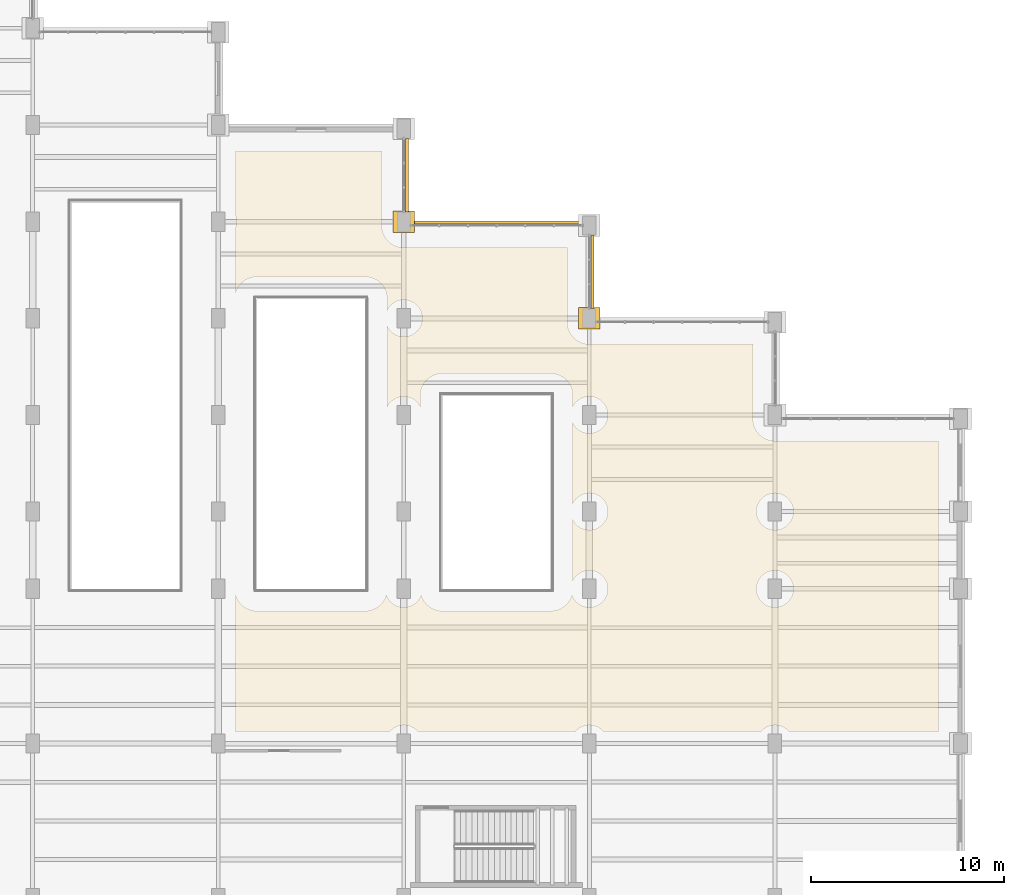
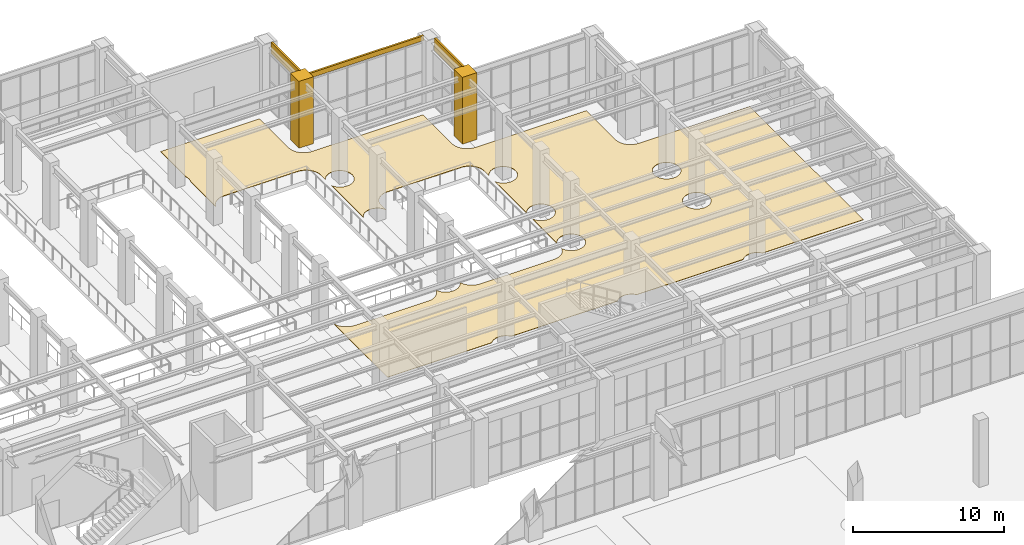
# One storey, part 162 of 164: 6 coverings.
"""IFC4 building model written with IfcOpenShell, lengths in metres."""

from ifc_helpers import new_model, si_unit, direction, frame, origin, place, context, subcontext, project, spatial, polyline, outline, extrude, material, layer, layer_set, type_object, element, save


model = new_model("IFC4")

# Units and contexts
model_context = context("Model", 3, precision=1e-05, world=origin(), true_north=direction((0.0, 1.0)))
body_context = subcontext(model_context, "Body", "Model", "MODEL_VIEW")
ifc_project = project(units=[si_unit("LENGTHUNIT", "METRE"), si_unit("AREAUNIT", "SQUARE_METRE"), si_unit("VOLUMEUNIT", "CUBIC_METRE"), si_unit("PLANEANGLEUNIT", "RADIAN"), si_unit("MASSUNIT", "GRAM", prefix="KILO")], contexts=[model_context])

# Site, building, storey
site_placement = place(None, origin())
site = spatial("IfcSite", under=ifc_project, at=site_placement, CompositionType="ELEMENT")
building_placement = place(site_placement, origin())
building = spatial("IfcBuilding", under=site, at=building_placement, Name="Mavantir Sound Aquarium", CompositionType="ELEMENT")
storey_placement = place(building_placement, origin())
storey = spatial("IfcBuildingStorey", under=building, at=storey_placement, Name="L00", CompositionType="ELEMENT", Elevation=0.0)

# Coverings
ifc_material_1 = material(Name="Honed Coral-Limestone & Glazed Terracotta Rainscreen Cladding", Category="masonry")
ifc_layer_1 = layer(ifc_material_1, 0.06005859375, Name="Honed Coral-Limestone & Glazed Terracotta Rainscreen Cladding")
ifc_layer_set_1 = layer_set([ifc_layer_1], Name="Honed Coral-Limestone & Glazed Terracotta Rainscreen Cladding")
covering_type_1 = type_object("IfcCoveringType", Name="COV-CLAD-TC", PredefinedType="CLADDING", material=ifc_layer_set_1)
covering_1_placement = place(storey_placement, frame((0.0, 0.0, 4.51708984375)))
element("IfcCovering", 1, at=covering_1_placement, inside=storey, type_object=covering_type_1, Name="L00 Postmodern coral-limestone spandrel frieze 65", PredefinedType="CLADDING", context=body_context, shape_type="SweptSolid", body=[
    extrude(outline(polyline([(146.489990234375, 76.30810546875), (146.489990234375, 80.092041015625), (146.639892578125, 80.092041015625), (146.639892578125, 76.30810546875), (146.489990234375, 76.30810546875)])), origin(), (0.0, 0.0, 1.0), 0.8828125),
])
covering_2_placement = place(storey_placement, frame((0.0, 0.0, 4.4150390625)))
element("IfcCovering", 2, at=covering_2_placement, inside=storey, type_object=covering_type_1, Name="L00 Postmodern coral-limestone spandrel frieze 99", PredefinedType="CLADDING", context=body_context, shape_type="SweptSolid", body=[
    extrude(outline(polyline([(156.090087890625, 71.30810546875), (156.090087890625, 75.092041015625), (156.239990234375, 75.092041015625), (156.239990234375, 71.30810546875), (156.090087890625, 71.30810546875)])), origin(), (0.0, 0.0, 1.0), 0.98486328125),
])
covering_3_placement = place(storey_placement, frame((0.0, 0.0, 5.010009765625)))
element("IfcCovering", 3, at=covering_3_placement, inside=storey, type_object=covering_type_1, Name="L00 Postmodern coral-limestone spandrel frieze 100", PredefinedType="CLADDING", context=body_context, shape_type="SweptSolid", body=[
    extrude(outline(polyline([(155.64208984375, 75.68994140625), (146.758056640625, 75.68994140625), (146.758056640625, 75.840087890625), (155.64208984375, 75.840087890625), (155.64208984375, 75.68994140625)])), origin(), (0.0, 0.0, 1.0), 0.389892578125),
])
covering_4_placement = place(storey_placement, origin())
element("IfcCovering", 4, at=covering_4_placement, inside=storey, type_object=covering_type_1, Name="L00 Postmodern coral-limestone pilaster casing 293", PredefinedType="CLADDING", context=body_context, shape_type="SweptSolid", body=[
    extrude(outline(polyline([(145.840087890625, 75.239990234375), (146.9599609375, 75.239990234375), (146.9599609375, 76.360107421875), (145.840087890625, 76.360107421875), (145.840087890625, 75.239990234375)])), origin(), (0.0, 0.0, 1.0), 5.39990234375),
])
covering_5_placement = place(storey_placement, origin())
element("IfcCovering", 5, at=covering_5_placement, inside=storey, type_object=covering_type_1, Name="L00 Postmodern coral-limestone pilaster casing 305", PredefinedType="CLADDING", context=body_context, shape_type="SweptSolid", body=[
    extrude(outline(polyline([(155.43994140625, 70.239990234375), (156.56005859375, 70.239990234375), (156.56005859375, 71.360107421875), (155.43994140625, 71.360107421875), (155.43994140625, 70.239990234375)])), origin(), (0.0, 0.0, 1.0), 5.39990234375),
])
ifc_material_2 = material(Name="Marine Epoxy Recycled-Shell Terrazzo Flooring")
ifc_layer_2 = layer(ifc_material_2, 0.030029296875, Name="Marine Epoxy Recycled-Shell Terrazzo Flooring")
ifc_layer_set_2 = layer_set([ifc_layer_2], Name="Marine Epoxy Recycled-Shell Terrazzo Flooring")
covering_type_2 = type_object("IfcCoveringType", Name="COV-FLR-TZ", PredefinedType="FLOORING", material=ifc_layer_set_2)
covering_6_placement = place(storey_placement, origin())
element("IfcCovering", 6, at=covering_6_placement, inside=storey, type_object=covering_type_2, Name="L00 Buccoo Coral Lagoon Plinth Exhibit Gallery terrazzo flooring", PredefinedType="FLOORING", context=body_context, shape_type="SweptSolid", body=[
    extrude(outline(polyline([(137.72412109375, 56.424072265625), (137.73193359375, 56.40185546875), (137.763671875, 56.32568359375), (137.773681640625, 56.304443359375), (137.816162109375, 56.224365234375), (137.828369140625, 56.2041015625), (137.877685546875, 56.13037109375), (137.891845703125, 56.111328125), (137.9482421875, 56.042724609375), (137.964111328125, 56.025390625), (138.025390625, 55.964111328125), (138.042724609375, 55.9482421875), (138.111328125, 55.891845703125), (138.13037109375, 55.877685546875), (138.2041015625, 55.828369140625), (138.224365234375, 55.816162109375), (138.304443359375, 55.773681640625), (138.32568359375, 55.763671875), (138.40185546875, 55.73193359375), (138.424072265625, 55.72412109375), (138.512939453125, 55.697021484375), (138.535888671875, 55.691162109375), (138.623291015625, 55.674072265625), (138.646484375, 55.670654296875), (138.730712890625, 55.662353515625), (138.754150390625, 55.6611328125), (138.800048828125, 55.659912109375), (144.39990234375, 55.659912109375), (144.44580078125, 55.6611328125), (144.469482421875, 55.662353515625), (144.553466796875, 55.670654296875), (144.576904296875, 55.674072265625), (144.664306640625, 55.691162109375), (144.68701171875, 55.697021484375), (144.77587890625, 55.72412109375), (144.798095703125, 55.73193359375), (144.874267578125, 55.763671875), (144.8955078125, 55.773681640625), (144.9755859375, 55.816162109375), (144.995849609375, 55.828369140625), (145.069580078125, 55.877685546875), (145.088623046875, 55.891845703125), (145.1572265625, 55.9482421875), (145.1748046875, 55.964111328125), (145.236083984375, 56.025390625), (145.251708984375, 56.042724609375), (145.30810546875, 56.111328125), (145.322265625, 56.13037109375), (145.37158203125, 56.2041015625), (145.3837890625, 56.224365234375), (145.426513671875, 56.304443359375), (145.436279296875, 56.32568359375), (145.468017578125, 56.40185546875), (145.47607421875, 56.424072265625), (145.499267578125, 56.500732421875), (145.522216796875, 56.4365234375), (145.562255859375, 56.352294921875), (145.610107421875, 56.272216796875), (145.66552734375, 56.197265625), (145.728271484375, 56.128173828125), (145.79736328125, 56.065673828125), (145.872314453125, 56.010009765625), (145.9521484375, 55.962158203125), (146.03662109375, 55.92236328125), (146.124267578125, 55.890869140625), (146.214599609375, 55.868408203125), (146.306884765625, 55.8544921875), (146.39990234375, 55.85009765625), (146.4931640625, 55.8544921875), (146.585205078125, 55.868408203125), (146.67578125, 55.890869140625), (146.763427734375, 55.92236328125), (146.847900390625, 55.962158203125), (146.927734375, 56.010009765625), (147.002685546875, 56.065673828125), (147.07177734375, 56.128173828125), (147.134521484375, 56.197265625), (147.18994140625, 56.272216796875), (147.23779296875, 56.352294921875), (147.277587890625, 56.4365234375), (147.30078125, 56.500732421875), (147.323974609375, 56.424072265625), (147.33203125, 56.40185546875), (147.363525390625, 56.32568359375), (147.37353515625, 56.304443359375), (147.416259765625, 56.224365234375), (147.42822265625, 56.2041015625), (147.477783203125, 56.13037109375), (147.49169921875, 56.111328125), (147.548095703125, 56.042724609375), (147.56396484375, 56.025390625), (147.625244140625, 55.964111328125), (147.642578125, 55.9482421875), (147.71142578125, 55.891845703125), (147.73046875, 55.877685546875), (147.80419921875, 55.828369140625), (147.824462890625, 55.816162109375), (147.904296875, 55.773681640625), (147.92578125, 55.763671875), (148.001953125, 55.73193359375), (148.02392578125, 55.72412109375), (148.11279296875, 55.697021484375), (148.1357421875, 55.691162109375), (148.22314453125, 55.674072265625), (148.24658203125, 55.670654296875), (148.33056640625, 55.662353515625), (148.35400390625, 55.6611328125), (148.39990234375, 55.659912109375), (154.0, 55.659912109375), (154.0458984375, 55.6611328125), (154.0693359375, 55.662353515625), (154.153564453125, 55.670654296875), (154.1767578125, 55.674072265625), (154.26416015625, 55.691162109375), (154.287109375, 55.697021484375), (154.3759765625, 55.72412109375), (154.398193359375, 55.73193359375), (154.474365234375, 55.763671875), (154.49560546875, 55.773681640625), (154.57568359375, 55.816162109375), (154.595703125, 55.828369140625), (154.669677734375, 55.877685546875), (154.688720703125, 55.891845703125), (154.75732421875, 55.9482421875), (154.774658203125, 55.964111328125), (154.8359375, 56.025390625), (154.851806640625, 56.042724609375), (154.908203125, 56.111328125), (154.92236328125, 56.13037109375), (154.9716796875, 56.2041015625), (154.98388671875, 56.224365234375), (155.0263671875, 56.304443359375), (155.036376953125, 56.32568359375), (155.068115234375, 56.40185546875), (155.075927734375, 56.424072265625), (155.099365234375, 56.500732421875), (155.122314453125, 56.4365234375), (155.162109375, 56.352294921875), (155.210205078125, 56.272216796875), (155.265625, 56.197265625), (155.328125, 56.128173828125), (155.397216796875, 56.065673828125), (155.47216796875, 56.010009765625), (155.55224609375, 55.962158203125), (155.636474609375, 55.92236328125), (155.72412109375, 55.890869140625), (155.814697265625, 55.868408203125), (155.906982421875, 55.8544921875), (156.0, 55.85009765625), (156.093017578125, 55.8544921875), (156.185302734375, 55.868408203125), (156.27587890625, 55.890869140625), (156.363525390625, 55.92236328125), (156.44775390625, 55.962158203125), (156.52783203125, 56.010009765625), (156.602783203125, 56.065673828125), (156.671875, 56.128173828125), (156.734375, 56.197265625), (156.789794921875, 56.272216796875), (156.837890625, 56.352294921875), (156.877685546875, 56.4365234375), (156.9091796875, 56.524169921875), (156.931640625, 56.61474609375), (156.9453125, 56.706787109375), (156.949951171875, 56.800048828125), (156.9453125, 56.89306640625), (156.931640625, 56.9853515625), (156.9091796875, 57.07568359375), (156.877685546875, 57.16357421875), (156.837890625, 57.247802734375), (156.789794921875, 57.327880859375), (156.734375, 57.402587890625), (156.671875, 57.4716796875), (156.602783203125, 57.534423828125), (156.52783203125, 57.58984375), (156.44775390625, 57.6376953125), (156.363525390625, 57.677734375), (156.27587890625, 57.708984375), (156.185302734375, 57.731689453125), (156.093017578125, 57.745361328125), (156.0, 57.75), (155.906982421875, 57.745361328125), (155.814697265625, 57.731689453125), (155.72412109375, 57.708984375), (155.636474609375, 57.677734375), (155.55224609375, 57.6376953125), (155.47216796875, 57.58984375), (155.397216796875, 57.534423828125), (155.328125, 57.4716796875), (155.265625, 57.402587890625), (155.210205078125, 57.327880859375), (155.162109375, 57.247802734375), (155.139892578125, 57.200927734375), (155.139892578125, 60.399169921875), (155.162109375, 60.352294921875), (155.210205078125, 60.272216796875), (155.265625, 60.197265625), (155.328125, 60.128173828125), (155.397216796875, 60.065673828125), (155.47216796875, 60.010009765625), (155.55224609375, 59.962158203125), (155.636474609375, 59.92236328125), (155.72412109375, 59.890869140625), (155.814697265625, 59.868408203125), (155.906982421875, 59.8544921875), (156.0, 59.85009765625), (156.093017578125, 59.8544921875), (156.185302734375, 59.868408203125), (156.27587890625, 59.890869140625), (156.363525390625, 59.92236328125), (156.44775390625, 59.962158203125), (156.52783203125, 60.010009765625), (156.602783203125, 60.065673828125), (156.671875, 60.128173828125), (156.734375, 60.197265625), (156.789794921875, 60.272216796875), (156.837890625, 60.352294921875), (156.877685546875, 60.4365234375), (156.9091796875, 60.524169921875), (156.931640625, 60.61474609375), (156.9453125, 60.706787109375), (156.949951171875, 60.800048828125), (156.9453125, 60.89306640625), (156.931640625, 60.9853515625), (156.9091796875, 61.07568359375), (156.877685546875, 61.16357421875), (156.837890625, 61.247802734375), (156.789794921875, 61.327880859375), (156.734375, 61.402587890625), (156.671875, 61.4716796875), (156.602783203125, 61.534423828125), (156.52783203125, 61.58984375), (156.44775390625, 61.6376953125), (156.363525390625, 61.677734375), (156.27587890625, 61.708984375), (156.185302734375, 61.731689453125), (156.093017578125, 61.745361328125), (156.0, 61.75), (155.906982421875, 61.745361328125), (155.814697265625, 61.731689453125), (155.72412109375, 61.708984375), (155.636474609375, 61.677734375), (155.55224609375, 61.6376953125), (155.47216796875, 61.58984375), (155.397216796875, 61.534423828125), (155.328125, 61.4716796875), (155.265625, 61.402587890625), (155.210205078125, 61.327880859375), (155.162109375, 61.247802734375), (155.139892578125, 61.200927734375), (155.139892578125, 65.399169921875), (155.162109375, 65.352294921875), (155.210205078125, 65.272216796875), (155.265625, 65.197265625), (155.328125, 65.128173828125), (155.397216796875, 65.065673828125), (155.47216796875, 65.010009765625), (155.55224609375, 64.962158203125), (155.636474609375, 64.92236328125), (155.72412109375, 64.890869140625), (155.814697265625, 64.868408203125), (155.906982421875, 64.8544921875), (156.0, 64.85009765625), (156.093017578125, 64.8544921875), (156.185302734375, 64.868408203125), (156.27587890625, 64.890869140625), (156.363525390625, 64.92236328125), (156.44775390625, 64.962158203125), (156.52783203125, 65.010009765625), (156.602783203125, 65.065673828125), (156.671875, 65.128173828125), (156.734375, 65.197265625), (156.789794921875, 65.272216796875), (156.837890625, 65.352294921875), (156.877685546875, 65.4365234375), (156.9091796875, 65.524169921875), (156.931640625, 65.61474609375), (156.9453125, 65.706787109375), (156.949951171875, 65.800048828125), (156.9453125, 65.89306640625), (156.931640625, 65.9853515625), (156.9091796875, 66.07568359375), (156.877685546875, 66.16357421875), (156.837890625, 66.247802734375), (156.789794921875, 66.327880859375), (156.734375, 66.402587890625), (156.671875, 66.4716796875), (156.602783203125, 66.534423828125), (156.52783203125, 66.58984375), (156.44775390625, 66.6376953125), (156.363525390625, 66.677734375), (156.27587890625, 66.708984375), (156.185302734375, 66.731689453125), (156.093017578125, 66.745361328125), (156.0, 66.75), (155.906982421875, 66.745361328125), (155.814697265625, 66.731689453125), (155.72412109375, 66.708984375), (155.636474609375, 66.677734375), (155.55224609375, 66.6376953125), (155.47216796875, 66.58984375), (155.397216796875, 66.534423828125), (155.328125, 66.4716796875), (155.265625, 66.402587890625), (155.210205078125, 66.327880859375), (155.162109375, 66.247802734375), (155.139892578125, 66.200927734375), (155.139892578125, 66.800048828125), (155.138916015625, 66.845947265625), (155.1376953125, 66.869384765625), (155.12939453125, 66.95361328125), (155.1259765625, 66.976806640625), (155.10888671875, 67.064208984375), (155.10302734375, 67.087158203125), (155.075927734375, 67.176025390625), (155.068115234375, 67.197998046875), (155.036376953125, 67.2744140625), (155.0263671875, 67.295654296875), (154.98388671875, 67.37548828125), (154.9716796875, 67.395751953125), (154.92236328125, 67.469482421875), (154.908203125, 67.488525390625), (154.851806640625, 67.557373046875), (154.8359375, 67.57470703125), (154.774658203125, 67.635986328125), (154.75732421875, 67.65185546875), (154.688720703125, 67.708251953125), (154.669677734375, 67.722412109375), (154.595703125, 67.771728515625), (154.57568359375, 67.78369140625), (154.49560546875, 67.826416015625), (154.474365234375, 67.83642578125), (154.398193359375, 67.867919921875), (154.3759765625, 67.8759765625), (154.287109375, 67.903076171875), (154.26416015625, 67.90869140625), (154.1767578125, 67.926025390625), (154.153564453125, 67.929443359375), (154.0693359375, 67.9375), (154.0458984375, 67.938720703125), (154.0, 67.93994140625), (148.39990234375, 67.93994140625), (148.35400390625, 67.938720703125), (148.33056640625, 67.9375), (148.24658203125, 67.929443359375), (148.22314453125, 67.926025390625), (148.1357421875, 67.90869140625), (148.11279296875, 67.903076171875), (148.02392578125, 67.8759765625), (148.001953125, 67.867919921875), (147.92578125, 67.83642578125), (147.904296875, 67.826416015625), (147.824462890625, 67.78369140625), (147.80419921875, 67.771728515625), (147.73046875, 67.722412109375), (147.71142578125, 67.708251953125), (147.642578125, 67.65185546875), (147.625244140625, 67.635986328125), (147.56396484375, 67.57470703125), (147.548095703125, 67.557373046875), (147.49169921875, 67.488525390625), (147.477783203125, 67.469482421875), (147.42822265625, 67.395751953125), (147.416259765625, 67.37548828125), (147.37353515625, 67.295654296875), (147.363525390625, 67.2744140625), (147.33203125, 67.197998046875), (147.323974609375, 67.176025390625), (147.296875, 67.087158203125), (147.291259765625, 67.064208984375), (147.27392578125, 66.976806640625), (147.2705078125, 66.95361328125), (147.262451171875, 66.869384765625), (147.26123046875, 66.845947265625), (147.260009765625, 66.800048828125), (147.260009765625, 66.200927734375), (147.23779296875, 66.247802734375), (147.18994140625, 66.327880859375), (147.134521484375, 66.402587890625), (147.07177734375, 66.4716796875), (147.002685546875, 66.534423828125), (146.927734375, 66.58984375), (146.847900390625, 66.6376953125), (146.763427734375, 66.677734375), (146.67578125, 66.708984375), (146.585205078125, 66.731689453125), (146.4931640625, 66.745361328125), (146.39990234375, 66.75), (146.306884765625, 66.745361328125), (146.214599609375, 66.731689453125), (146.124267578125, 66.708984375), (146.03662109375, 66.677734375), (145.9521484375, 66.6376953125), (145.872314453125, 66.58984375), (145.79736328125, 66.534423828125), (145.728271484375, 66.4716796875), (145.66552734375, 66.402587890625), (145.610107421875, 66.327880859375), (145.562255859375, 66.247802734375), (145.5400390625, 66.200927734375), (145.5400390625, 70.399169921875), (145.562255859375, 70.352294921875), (145.610107421875, 70.272216796875), (145.66552734375, 70.197265625), (145.728271484375, 70.128173828125), (145.79736328125, 70.065673828125), (145.872314453125, 70.010009765625), (145.9521484375, 69.962158203125), (146.03662109375, 69.92236328125), (146.124267578125, 69.890869140625), (146.214599609375, 69.868408203125), (146.306884765625, 69.8544921875), (146.39990234375, 69.85009765625), (146.4931640625, 69.8544921875), (146.585205078125, 69.868408203125), (146.67578125, 69.890869140625), (146.763427734375, 69.92236328125), (146.847900390625, 69.962158203125), (146.927734375, 70.010009765625), (147.002685546875, 70.065673828125), (147.07177734375, 70.128173828125), (147.134521484375, 70.197265625), (147.18994140625, 70.272216796875), (147.23779296875, 70.352294921875), (147.277587890625, 70.4365234375), (147.30908203125, 70.524169921875), (147.331787109375, 70.61474609375), (147.345458984375, 70.706787109375), (147.35009765625, 70.800048828125), (147.345458984375, 70.89306640625), (147.331787109375, 70.9853515625), (147.30908203125, 71.07568359375), (147.277587890625, 71.16357421875), (147.23779296875, 71.247802734375), (147.18994140625, 71.327880859375), (147.134521484375, 71.402587890625), (147.07177734375, 71.4716796875), (147.002685546875, 71.534423828125), (146.927734375, 71.58984375), (146.847900390625, 71.6376953125), (146.763427734375, 71.677734375), (146.67578125, 71.708984375), (146.585205078125, 71.731689453125), (146.4931640625, 71.745361328125), (146.39990234375, 71.75), (146.306884765625, 71.745361328125), (146.214599609375, 71.731689453125), (146.124267578125, 71.708984375), (146.03662109375, 71.677734375), (145.9521484375, 71.6376953125), (145.872314453125, 71.58984375), (145.79736328125, 71.534423828125), (145.728271484375, 71.4716796875), (145.66552734375, 71.402587890625), (145.610107421875, 71.327880859375), (145.562255859375, 71.247802734375), (145.5400390625, 71.200927734375), (145.5400390625, 71.800048828125), (145.538818359375, 71.845947265625), (145.53759765625, 71.869384765625), (145.529296875, 71.95361328125), (145.52587890625, 71.976806640625), (145.5087890625, 72.064208984375), (145.503173828125, 72.087158203125), (145.47607421875, 72.176025390625), (145.468017578125, 72.197998046875), (145.436279296875, 72.2744140625), (145.426513671875, 72.295654296875), (145.3837890625, 72.37548828125), (145.37158203125, 72.395751953125), (145.322265625, 72.469482421875), (145.30810546875, 72.488525390625), (145.251708984375, 72.557373046875), (145.236083984375, 72.57470703125), (145.1748046875, 72.635986328125), (145.1572265625, 72.65185546875), (145.088623046875, 72.708251953125), (145.069580078125, 72.722412109375), (144.995849609375, 72.771728515625), (144.9755859375, 72.78369140625), (144.8955078125, 72.826416015625), (144.874267578125, 72.83642578125), (144.798095703125, 72.867919921875), (144.77587890625, 72.8759765625), (144.68701171875, 72.903076171875), (144.664306640625, 72.90869140625), (144.576904296875, 72.926025390625), (144.553466796875, 72.929443359375), (144.469482421875, 72.9375), (144.44580078125, 72.938720703125), (144.39990234375, 72.93994140625), (138.800048828125, 72.93994140625), (138.754150390625, 72.938720703125), (138.730712890625, 72.9375), (138.646484375, 72.929443359375), (138.623291015625, 72.926025390625), (138.535888671875, 72.90869140625), (138.512939453125, 72.903076171875), (138.424072265625, 72.8759765625), (138.40185546875, 72.867919921875), (138.32568359375, 72.83642578125), (138.304443359375, 72.826416015625), (138.224365234375, 72.78369140625), (138.2041015625, 72.771728515625), (138.13037109375, 72.722412109375), (138.111328125, 72.708251953125), (138.042724609375, 72.65185546875), (138.025390625, 72.635986328125), (137.964111328125, 72.57470703125), (137.9482421875, 72.557373046875), (137.891845703125, 72.488525390625), (137.877685546875, 72.469482421875), (137.828369140625, 72.395751953125), (137.816162109375, 72.37548828125), (137.773681640625, 72.295654296875), (137.763671875, 72.2744140625), (137.73193359375, 72.197998046875), (137.72412109375, 72.176025390625), (137.699951171875, 72.09716796875), (137.699951171875, 75.498779296875), (137.708984375, 75.524169921875), (137.731689453125, 75.61474609375), (137.745361328125, 75.706787109375), (137.75, 75.800048828125), (137.745361328125, 75.89306640625), (137.731689453125, 75.9853515625), (137.708984375, 76.07568359375), (137.699951171875, 76.101318359375), (137.699951171875, 79.4599609375), (145.260009765625, 79.4599609375), (145.260009765625, 75.60009765625), (145.26123046875, 75.55419921875), (145.262451171875, 75.530517578125), (145.2705078125, 75.446533203125), (145.27392578125, 75.423095703125), (145.291259765625, 75.335693359375), (145.296875, 75.31298828125), (145.323974609375, 75.22412109375), (145.33203125, 75.201904296875), (145.363525390625, 75.125732421875), (145.37353515625, 75.1044921875), (145.416259765625, 75.0244140625), (145.42822265625, 75.004150390625), (145.477783203125, 74.930419921875), (145.49169921875, 74.911376953125), (145.548095703125, 74.8427734375), (145.56396484375, 74.8251953125), (145.625244140625, 74.763916015625), (145.642578125, 74.748291015625), (145.71142578125, 74.69189453125), (145.73046875, 74.677734375), (145.80419921875, 74.62841796875), (145.824462890625, 74.6162109375), (145.904296875, 74.573486328125), (145.92578125, 74.563720703125), (146.001953125, 74.531982421875), (146.02392578125, 74.52392578125), (146.11279296875, 74.496826171875), (146.1357421875, 74.4912109375), (146.22314453125, 74.47412109375), (146.24658203125, 74.470703125), (146.33056640625, 74.46240234375), (146.35400390625, 74.461181640625), (146.39990234375, 74.4599609375), (154.860107421875, 74.4599609375), (154.860107421875, 70.60009765625), (154.861083984375, 70.55419921875), (154.8623046875, 70.530517578125), (154.87060546875, 70.446533203125), (154.8740234375, 70.423095703125), (154.89111328125, 70.335693359375), (154.89697265625, 70.31298828125), (154.924072265625, 70.22412109375), (154.931884765625, 70.201904296875), (154.963623046875, 70.125732421875), (154.9736328125, 70.1044921875), (155.01611328125, 70.0244140625), (155.0283203125, 70.004150390625), (155.07763671875, 69.930419921875), (155.091796875, 69.911376953125), (155.148193359375, 69.8427734375), (155.1640625, 69.8251953125), (155.225341796875, 69.763916015625), (155.24267578125, 69.748291015625), (155.311279296875, 69.69189453125), (155.330322265625, 69.677734375), (155.404296875, 69.62841796875), (155.42431640625, 69.6162109375), (155.50439453125, 69.573486328125), (155.525634765625, 69.563720703125), (155.601806640625, 69.531982421875), (155.6240234375, 69.52392578125), (155.712890625, 69.496826171875), (155.73583984375, 69.4912109375), (155.8232421875, 69.47412109375), (155.846435546875, 69.470703125), (155.9306640625, 69.46240234375), (155.9541015625, 69.461181640625), (156.0, 69.4599609375), (164.4599609375, 69.4599609375), (164.4599609375, 65.60009765625), (164.461181640625, 65.55419921875), (164.46240234375, 65.530517578125), (164.470703125, 65.446533203125), (164.47412109375, 65.423095703125), (164.4912109375, 65.335693359375), (164.496826171875, 65.31298828125), (164.52392578125, 65.22412109375), (164.531982421875, 65.201904296875), (164.563720703125, 65.125732421875), (164.573486328125, 65.1044921875), (164.6162109375, 65.0244140625), (164.62841796875, 65.004150390625), (164.677734375, 64.930419921875), (164.69189453125, 64.911376953125), (164.748291015625, 64.8427734375), (164.763916015625, 64.8251953125), (164.8251953125, 64.763916015625), (164.8427734375, 64.748291015625), (164.911376953125, 64.69189453125), (164.930419921875, 64.677734375), (165.004150390625, 64.62841796875), (165.0244140625, 64.6162109375), (165.1044921875, 64.573486328125), (165.125732421875, 64.563720703125), (165.201904296875, 64.531982421875), (165.22412109375, 64.52392578125), (165.31298828125, 64.496826171875), (165.335693359375, 64.4912109375), (165.423095703125, 64.47412109375), (165.446533203125, 64.470703125), (165.530517578125, 64.46240234375), (165.55419921875, 64.461181640625), (165.60009765625, 64.4599609375), (174.06005859375, 64.4599609375), (174.06005859375, 49.39990234375), (166.336181640625, 49.39990234375), (166.33447265625, 49.402587890625), (166.271728515625, 49.4716796875), (166.20263671875, 49.534423828125), (166.127685546875, 49.58984375), (166.0478515625, 49.6376953125), (165.96337890625, 49.677734375), (165.875732421875, 49.708984375), (165.785400390625, 49.731689453125), (165.693115234375, 49.745361328125), (165.60009765625, 49.75), (165.5068359375, 49.745361328125), (165.414794921875, 49.731689453125), (165.32421875, 49.708984375), (165.236572265625, 49.677734375), (165.152099609375, 49.6376953125), (165.072265625, 49.58984375), (164.997314453125, 49.534423828125), (164.92822265625, 49.4716796875), (164.865478515625, 49.402587890625), (164.86376953125, 49.39990234375), (156.736328125, 49.39990234375), (156.734375, 49.402587890625), (156.671875, 49.4716796875), (156.602783203125, 49.534423828125), (156.52783203125, 49.58984375), (156.44775390625, 49.6376953125), (156.363525390625, 49.677734375), (156.27587890625, 49.708984375), (156.185302734375, 49.731689453125), (156.093017578125, 49.745361328125), (156.0, 49.75), (155.906982421875, 49.745361328125), (155.814697265625, 49.731689453125), (155.72412109375, 49.708984375), (155.636474609375, 49.677734375), (155.55224609375, 49.6376953125), (155.47216796875, 49.58984375), (155.397216796875, 49.534423828125), (155.328125, 49.4716796875), (155.265625, 49.402587890625), (155.263671875, 49.39990234375), (147.13623046875, 49.39990234375), (147.134521484375, 49.402587890625), (147.07177734375, 49.4716796875), (147.002685546875, 49.534423828125), (146.927734375, 49.58984375), (146.847900390625, 49.6376953125), (146.763427734375, 49.677734375), (146.67578125, 49.708984375), (146.585205078125, 49.731689453125), (146.4931640625, 49.745361328125), (146.39990234375, 49.75), (146.306884765625, 49.745361328125), (146.214599609375, 49.731689453125), (146.124267578125, 49.708984375), (146.03662109375, 49.677734375), (145.9521484375, 49.6376953125), (145.872314453125, 49.58984375), (145.79736328125, 49.534423828125), (145.728271484375, 49.4716796875), (145.66552734375, 49.402587890625), (145.663818359375, 49.39990234375), (137.699951171875, 49.39990234375), (137.699951171875, 56.498779296875), (137.70068359375, 56.500732421875), (137.72412109375, 56.424072265625)]), holes=[polyline([(166.33447265625, 56.197265625), (166.389892578125, 56.272216796875), (166.437744140625, 56.352294921875), (166.477783203125, 56.4365234375), (166.509033203125, 56.524169921875), (166.53173828125, 56.61474609375), (166.54541015625, 56.706787109375), (166.550048828125, 56.800048828125), (166.54541015625, 56.89306640625), (166.53173828125, 56.9853515625), (166.509033203125, 57.07568359375), (166.477783203125, 57.16357421875), (166.437744140625, 57.247802734375), (166.389892578125, 57.327880859375), (166.33447265625, 57.402587890625), (166.271728515625, 57.4716796875), (166.20263671875, 57.534423828125), (166.127685546875, 57.58984375), (166.0478515625, 57.6376953125), (165.96337890625, 57.677734375), (165.875732421875, 57.708984375), (165.785400390625, 57.731689453125), (165.693115234375, 57.745361328125), (165.60009765625, 57.75), (165.5068359375, 57.745361328125), (165.414794921875, 57.731689453125), (165.32421875, 57.708984375), (165.236572265625, 57.677734375), (165.152099609375, 57.6376953125), (165.072265625, 57.58984375), (164.997314453125, 57.534423828125), (164.92822265625, 57.4716796875), (164.865478515625, 57.402587890625), (164.81005859375, 57.327880859375), (164.76220703125, 57.247802734375), (164.722412109375, 57.16357421875), (164.69091796875, 57.07568359375), (164.668212890625, 56.9853515625), (164.654541015625, 56.89306640625), (164.64990234375, 56.800048828125), (164.654541015625, 56.706787109375), (164.668212890625, 56.61474609375), (164.69091796875, 56.524169921875), (164.722412109375, 56.4365234375), (164.76220703125, 56.352294921875), (164.81005859375, 56.272216796875), (164.865478515625, 56.197265625), (164.92822265625, 56.128173828125), (164.997314453125, 56.065673828125), (165.072265625, 56.010009765625), (165.152099609375, 55.962158203125), (165.236572265625, 55.92236328125), (165.32421875, 55.890869140625), (165.414794921875, 55.868408203125), (165.5068359375, 55.8544921875), (165.60009765625, 55.85009765625), (165.693115234375, 55.8544921875), (165.785400390625, 55.868408203125), (165.875732421875, 55.890869140625), (165.96337890625, 55.92236328125), (166.0478515625, 55.962158203125), (166.127685546875, 56.010009765625), (166.20263671875, 56.065673828125), (166.271728515625, 56.128173828125), (166.33447265625, 56.197265625)]), polyline([(166.33447265625, 60.197265625), (166.389892578125, 60.272216796875), (166.437744140625, 60.352294921875), (166.477783203125, 60.4365234375), (166.509033203125, 60.524169921875), (166.53173828125, 60.61474609375), (166.54541015625, 60.706787109375), (166.550048828125, 60.800048828125), (166.54541015625, 60.89306640625), (166.53173828125, 60.9853515625), (166.509033203125, 61.07568359375), (166.477783203125, 61.16357421875), (166.437744140625, 61.247802734375), (166.389892578125, 61.327880859375), (166.33447265625, 61.402587890625), (166.271728515625, 61.4716796875), (166.20263671875, 61.534423828125), (166.127685546875, 61.58984375), (166.0478515625, 61.6376953125), (165.96337890625, 61.677734375), (165.875732421875, 61.708984375), (165.785400390625, 61.731689453125), (165.693115234375, 61.745361328125), (165.60009765625, 61.75), (165.5068359375, 61.745361328125), (165.414794921875, 61.731689453125), (165.32421875, 61.708984375), (165.236572265625, 61.677734375), (165.152099609375, 61.6376953125), (165.072265625, 61.58984375), (164.997314453125, 61.534423828125), (164.92822265625, 61.4716796875), (164.865478515625, 61.402587890625), (164.81005859375, 61.327880859375), (164.76220703125, 61.247802734375), (164.722412109375, 61.16357421875), (164.69091796875, 61.07568359375), (164.668212890625, 60.9853515625), (164.654541015625, 60.89306640625), (164.64990234375, 60.800048828125), (164.654541015625, 60.706787109375), (164.668212890625, 60.61474609375), (164.69091796875, 60.524169921875), (164.722412109375, 60.4365234375), (164.76220703125, 60.352294921875), (164.81005859375, 60.272216796875), (164.865478515625, 60.197265625), (164.92822265625, 60.128173828125), (164.997314453125, 60.065673828125), (165.072265625, 60.010009765625), (165.152099609375, 59.962158203125), (165.236572265625, 59.92236328125), (165.32421875, 59.890869140625), (165.414794921875, 59.868408203125), (165.5068359375, 59.8544921875), (165.60009765625, 59.85009765625), (165.693115234375, 59.8544921875), (165.785400390625, 59.868408203125), (165.875732421875, 59.890869140625), (165.96337890625, 59.92236328125), (166.0478515625, 59.962158203125), (166.127685546875, 60.010009765625), (166.20263671875, 60.065673828125), (166.271728515625, 60.128173828125), (166.33447265625, 60.197265625)])]), origin(), (0.0, 0.0, 1.0), 0.030029296875),
])

save(model, "model.ifc")
